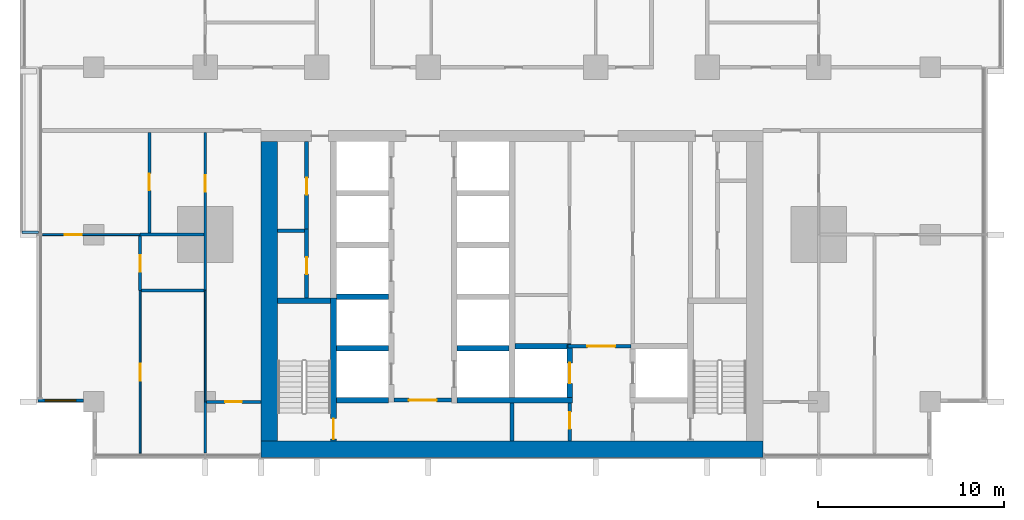
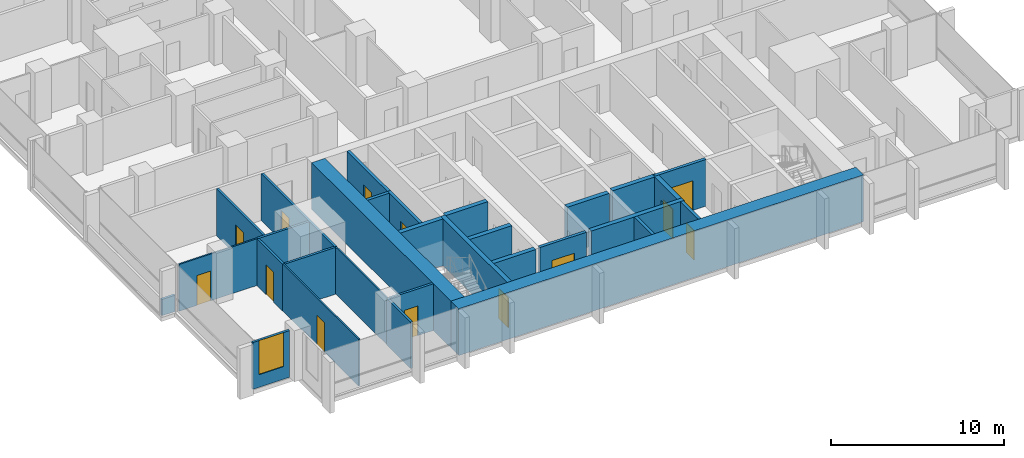
# One storey, part 7 of 18: 30 walls, 13 doors, 1 window, 14 openings.
"""IFC4 building model written with IfcOpenShell, lengths in metres."""

from ifc_helpers import new_model, si_unit, direction, frame, frame_2d, origin, place, context, subcontext, project, spatial, rectangle, extrude, material, layer, layer_set, type_object, element, fill, save


model = new_model("IFC4")

# Units and contexts
model_context = context("Model", 3, precision=1e-05, world=origin(), true_north=direction((0.0, 1.0)))
body_context = subcontext(model_context, "Body", "Model", "MODEL_VIEW")
ifc_project = project(units=[si_unit("LENGTHUNIT", "METRE"), si_unit("AREAUNIT", "SQUARE_METRE"), si_unit("VOLUMEUNIT", "CUBIC_METRE"), si_unit("PLANEANGLEUNIT", "RADIAN"), si_unit("MASSUNIT", "GRAM", prefix="KILO")], contexts=[model_context])

# Site, building, storey
site_placement = place(None, origin())
site = spatial("IfcSite", under=ifc_project, at=site_placement, CompositionType="ELEMENT")
building_placement = place(site_placement, origin())
building = spatial("IfcBuilding", under=site, at=building_placement, Name="Finial Court Residences", CompositionType="ELEMENT")
storey_placement = place(building_placement, frame((0.0, 0.0, 43.300048828125)))
storey = spatial("IfcBuildingStorey", under=building, at=storey_placement, Name="L09", CompositionType="ELEMENT", Elevation=43.300048828125)

# Walls
ifc_material_1 = material(Name="Concrete C80/95", Category="concrete")
ifc_layer_1 = layer(ifc_material_1, 0.89990234375)
ifc_layer_set_1 = layer_set([ifc_layer_1], Name="Core outer wall 900 Concrete C80/95")
wall_type_1 = type_object("IfcWallType", Name="Core outer wall 900 Concrete C80/95", PredefinedType="SHEAR", material=ifc_layer_set_1)
wall_1_placement = place(storey_placement, frame((-13.050048828125, -24.60009765625, 0.0), z_axis=(0.0, 0.0, 1.0), x_axis=(0.0, 1.0, 0.0)))
element("IfcWall", 1, at=wall_1_placement, inside=storey, type_object=wall_type_1, Name="Core outer wall L09-03", PredefinedType="SHEAR", context=body_context, shape_type="SweptSolid", body=[
    extrude(rectangle(XDim=16.10009765625, YDim=0.89990234375, at=frame_2d((8.050048828125, 0.0))), origin(), (0.0, 0.0, 1.0), 3.300048828125),
])
ifc_layer_2 = layer(ifc_material_1, 0.89990234375)
ifc_layer_set_2 = layer_set([ifc_layer_2], Name="Core south facade wall 900 Concrete C80/95")
wall_type_2 = type_object("IfcWallType", Name="Core south facade wall 900 Concrete C80/95", PredefinedType="SHEAR", material=ifc_layer_set_2)
wall_2_placement = place(storey_placement, frame((-13.5, -25.050048828125, 0.0), z_axis=(0.0, 0.0, 1.0), x_axis=(1.0, 0.0, 0.0)))
element("IfcWall", 2, at=wall_2_placement, inside=storey, type_object=wall_type_2, Name="Core outer wall L09-01", PredefinedType="SHEAR", context=body_context, shape_type="SweptSolid", body=[
    extrude(rectangle(XDim=27.0, YDim=0.89990234375, at=frame_2d((13.5, 0.0))), origin(), (0.0, 0.0, 1.0), 3.300048828125),
])

# Wall, opening, door
ifc_material_2 = material(Name="Fire-rated gypsum board partition")
ifc_layer_3 = layer(ifc_material_2, 0.199951171875)
ifc_layer_set_3 = layer_set([ifc_layer_3], Name="Firefighting lobby wall 200 EI 120")
wall_type_3 = type_object("IfcWallType", Name="Firefighting lobby wall 200 EI 120", PredefinedType="PARTITIONING", material=ifc_layer_set_3)
wall_3_placement = place(storey_placement, frame((6.39990234375, -19.5, 0.0), z_axis=(0.0, 0.0, 1.0), x_axis=(-1.0, 0.0, 0.0)))
wall_3 = element("IfcWall", 3, at=wall_3_placement, inside=storey, type_object=wall_type_3, Name="Core partition L09-08", PredefinedType="PARTITIONING", context=body_context, shape_type="SweptSolid", body=[
    extrude(rectangle(XDim=3.375, YDim=0.199951171875, at=frame_2d((1.6875, 0.0))), origin(), (0.0, 0.0, 1.0), 3.300048828125),
])
opening_1_placement = place(wall_3_placement, frame((0.85009765625, 0.0, 0.0)))
opening_1 = element("IfcOpeningElement", 4, at=opening_1_placement, cuts=wall_3, Name="Opening L09-C02", PredefinedType="OPENING", context=body_context, shape_type="SweptSolid", body=[
    extrude(rectangle(XDim=1.5, YDim=2.10009765625, at=frame_2d((0.75, 1.050048828125))), frame((0.0, 0.10986328125, 0.0), z_axis=(0.0, -1.0, 0.0), x_axis=(1.0, 0.0, 0.0)), (0.0, 0.0, 1.0), 0.219970703125),
])
ifc_material_3 = material(Name="Steel fire door", Category="steel")
door_type_1 = type_object("IfcDoorType", Name="Firefighting lobby door 1500 x 2100 EI 90", OperationType="DOUBLE_DOOR_SINGLE_SWING", PredefinedType="DOOR", material=ifc_material_3)
door_1_placement = place(opening_1_placement, origin())
door_1 = element("IfcDoor", 5, at=door_1_placement, inside=storey, type_object=door_type_1, Name="Firefighting lobby door L09-C02", OperationType="DOUBLE_DOOR_SINGLE_SWING", OverallHeight=2.10009765625, OverallWidth=1.5, PredefinedType="DOOR", context=body_context, shape_type="SweptSolid", body=[
    extrude(rectangle(XDim=1.5, YDim=2.10009765625, at=frame_2d((0.75, 1.050048828125))), frame((0.0, 0.02490234375, 0.0), z_axis=(0.0, -1.0, 0.0), x_axis=(1.0, 0.0, 0.0)), (0.0, 0.0, 1.0), 0.050048828125),
])
fill(opening_1, door_1)

wall_4_placement = place(storey_placement, frame((3.10009765625, -24.60009765625, 0.0), z_axis=(0.0, 0.0, 1.0), x_axis=(0.0, 1.0, 0.0)))
wall_4 = element("IfcWall", 6, at=wall_4_placement, inside=storey, type_object=wall_type_3, Name="Core partition L09-29", PredefinedType="PARTITIONING", context=body_context, shape_type="SweptSolid", body=[
    extrude(rectangle(XDim=2.050048828125, YDim=0.199951171875, at=frame_2d((1.02490234375, 0.0))), origin(), (0.0, 0.0, 1.0), 3.300048828125),
])
opening_2_placement = place(wall_4_placement, frame((0.64990234375, 0.0, 0.0)))
opening_2 = element("IfcOpeningElement", 7, at=opening_2_placement, cuts=wall_4, Name="Opening L09-C06", PredefinedType="OPENING", context=body_context, shape_type="SweptSolid", body=[
    extrude(rectangle(XDim=0.89990234375, YDim=2.10009765625, at=frame_2d((0.449951171875, 1.050048828125))), frame((0.0, 0.10986328125, 0.0), z_axis=(0.0, -1.0, 0.0), x_axis=(1.0, 0.0, 0.0)), (0.0, 0.0, 1.0), 0.219970703125),
])
door_type_2 = type_object("IfcDoorType", Name="Riser room door 900 x 2100 EI 90", OperationType="NOTDEFINED", PredefinedType="DOOR", material=ifc_material_3)
door_2_placement = place(opening_2_placement, origin())
door_2 = element("IfcDoor", 8, at=door_2_placement, inside=storey, type_object=door_type_2, Name="Riser room door L09-C06", OperationType="SINGLE_SWING_LEFT", OverallHeight=2.10009765625, OverallWidth=0.89990234375, PredefinedType="DOOR", context=body_context, shape_type="SweptSolid", body=[
    extrude(rectangle(XDim=0.89990234375, YDim=2.10009765625, at=frame_2d((0.449951171875, 1.050048828125))), frame((0.0, 0.02490234375, 0.0), z_axis=(0.0, -1.0, 0.0), x_axis=(1.0, 0.0, 0.0)), (0.0, 0.0, 1.0), 0.050048828125),
])
fill(opening_2, door_2)

ifc_material_4 = material(Name="Gypsum board")
ifc_layer_4 = layer(ifc_material_4, 0.012451171875)
ifc_material_5 = material(Name="Mineral wool in light-gauge frame")
ifc_layer_5 = layer(ifc_material_5, 0.074951171875)
ifc_layer_6 = layer(ifc_material_4, 0.012451171875)
ifc_layer_set_4 = layer_set([ifc_layer_4, ifc_layer_5, ifc_layer_6], Name="Gypsum board partition 100")
wall_type_4 = type_object("IfcWallType", Name="Gypsum board partition 100", PredefinedType="PARTITIONING", material=ifc_layer_set_4)
wall_5_placement = place(storey_placement, frame((-25.25, -13.5, 0.0), z_axis=(0.0, 0.0, 1.0), x_axis=(1.0, 0.0, 0.0)))
wall_5 = element("IfcWall", 9, at=wall_5_placement, inside=storey, type_object=wall_type_4, Name="Partition L09-003", PredefinedType="PARTITIONING", context=body_context, shape_type="SweptSolid", body=[
    extrude(rectangle(XDim=5.25, YDim=0.10009765625, at=frame_2d((2.625, 0.0))), origin(), (0.0, 0.0, 1.0), 3.300048828125),
])
opening_3_placement = place(wall_5_placement, frame((1.199951171875, 0.0, 0.0)))
opening_3 = element("IfcOpeningElement", 10, at=opening_3_placement, cuts=wall_5, Name="Opening L09-D003", PredefinedType="OPENING", context=body_context, shape_type="SweptSolid", body=[
    extrude(rectangle(XDim=0.89990234375, YDim=2.10009765625, at=frame_2d((0.449951171875, 1.050048828125))), frame((0.0, 0.06005859375, 0.0), z_axis=(0.0, -1.0, 0.0), x_axis=(1.0, 0.0, 0.0)), (0.0, 0.0, 1.0), 0.1201171875),
])
ifc_material_6 = material(Name="Timber door leaf in timber frame", Category="wood")
door_type_3 = type_object("IfcDoorType", Name="Door set 900 x 2100", OperationType="SINGLE_SWING_LEFT", PredefinedType="DOOR", material=ifc_material_6)
door_3_placement = place(opening_3_placement, origin())
door_3 = element("IfcDoor", 11, at=door_3_placement, inside=storey, type_object=door_type_3, Name="Door L09-D003", OperationType="SINGLE_SWING_LEFT", OverallHeight=2.10009765625, OverallWidth=0.89990234375, PredefinedType="DOOR", context=body_context, shape_type="SweptSolid", body=[
    extrude(rectangle(XDim=0.89990234375, YDim=2.10009765625, at=frame_2d((0.449951171875, 1.050048828125))), frame((0.0, 0.02490234375, 0.0), z_axis=(0.0, -1.0, 0.0), x_axis=(1.0, 0.0, 0.0)), (0.0, 0.0, 1.0), 0.050048828125),
])
fill(opening_3, door_3)

wall_6_placement = place(storey_placement, frame((-20.0, -25.25, 0.0), z_axis=(0.0, 0.0, 1.0), x_axis=(0.0, 1.0, 0.0)))
wall_6 = element("IfcWall", 12, at=wall_6_placement, inside=storey, type_object=wall_type_4, Name="Partition L09-056", PredefinedType="PARTITIONING", context=body_context, shape_type="SweptSolid", body=[
    extrude(rectangle(XDim=8.75, YDim=0.10009765625, at=frame_2d((4.375, 0.0))), origin(), (0.0, 0.0, 1.0), 3.300048828125),
])
opening_4_placement = place(wall_6_placement, frame((3.89990234375, 0.0, 0.0)))
opening_4 = element("IfcOpeningElement", 13, at=opening_4_placement, cuts=wall_6, Name="Opening L09-D035", PredefinedType="OPENING", context=body_context, shape_type="SweptSolid", body=[
    extrude(rectangle(XDim=0.89990234375, YDim=2.10009765625, at=frame_2d((0.449951171875, 1.050048828125))), frame((0.0, 0.06005859375, 0.0), z_axis=(0.0, -1.0, 0.0), x_axis=(1.0, 0.0, 0.0)), (0.0, 0.0, 1.0), 0.1201171875),
])
door_4_placement = place(opening_4_placement, origin())
door_4 = element("IfcDoor", 14, at=door_4_placement, inside=storey, type_object=door_type_3, Name="Door L09-D035", OperationType="SINGLE_SWING_LEFT", OverallHeight=2.10009765625, OverallWidth=0.89990234375, PredefinedType="DOOR", context=body_context, shape_type="SweptSolid", body=[
    extrude(rectangle(XDim=0.89990234375, YDim=2.10009765625, at=frame_2d((0.449951171875, 1.050048828125))), frame((0.0, 0.02490234375, 0.0), z_axis=(0.0, -1.0, 0.0), x_axis=(1.0, 0.0, 0.0)), (0.0, 0.0, 1.0), 0.050048828125),
])
fill(opening_4, door_4)

# Wall
wall_7_placement = place(storey_placement, frame((-16.5, -22.5, 0.0), z_axis=(0.0, 0.0, 1.0), x_axis=(0.0, 1.0, 0.0)))
element("IfcWall", 15, at=wall_7_placement, inside=storey, type_object=wall_type_4, Name="Partition L09-063", PredefinedType="PARTITIONING", context=body_context, shape_type="SweptSolid", body=[
    extrude(rectangle(XDim=6.0, YDim=0.10009765625, at=frame_2d((3.0, 0.0))), origin(), (0.0, 0.0, 1.0), 3.300048828125),
])

# Wall, opening, door
ifc_material_7 = material(Name="Moisture-resistant gypsum board")
ifc_layer_7 = layer(ifc_material_7, 0.012451171875)
ifc_layer_8 = layer(ifc_material_5, 0.125)
ifc_layer_9 = layer(ifc_material_7, 0.012451171875)
ifc_layer_set_5 = layer_set([ifc_layer_7, ifc_layer_8, ifc_layer_9], Name="Gypsum board wet-area partition 150")
wall_type_5 = type_object("IfcWallType", Name="Gypsum board wet-area partition 150", PredefinedType="PARTITIONING", material=ifc_layer_set_5)
wall_8_placement = place(storey_placement, frame((-16.425048828125, -22.5, 0.0), z_axis=(0.0, 0.0, 1.0), x_axis=(1.0, 0.0, 0.0)))
wall_8 = element("IfcWall", 16, at=wall_8_placement, inside=storey, type_object=wall_type_5, Name="Partition L09-000", PredefinedType="PARTITIONING", context=body_context, shape_type="SweptSolid", body=[
    extrude(rectangle(XDim=2.925048828125, YDim=0.14990234375, at=frame_2d((1.46240234375, 0.0))), origin(), (0.0, 0.0, 1.0), 3.300048828125),
])
opening_5_placement = place(wall_8_placement, frame((1.0, 0.0, 0.0)))
opening_5 = element("IfcOpeningElement", 17, at=opening_5_placement, cuts=wall_8, Name="Opening L09-D001", PredefinedType="OPENING", context=body_context, shape_type="SweptSolid", body=[
    extrude(rectangle(XDim=0.89990234375, YDim=2.10009765625, at=frame_2d((0.449951171875, 1.050048828125))), frame((0.0, 0.0849609375, 0.0), z_axis=(0.0, -1.0, 0.0), x_axis=(1.0, 0.0, 0.0)), (0.0, 0.0, 1.0), 0.169921875),
])
door_5_placement = place(opening_5_placement, origin())
door_5 = element("IfcDoor", 18, at=door_5_placement, inside=storey, type_object=door_type_3, Name="Door L09-D001", OperationType="SINGLE_SWING_RIGHT", OverallHeight=2.10009765625, OverallWidth=0.89990234375, PredefinedType="DOOR", context=body_context, shape_type="SweptSolid", body=[
    extrude(rectangle(XDim=0.89990234375, YDim=2.10009765625, at=frame_2d((0.449951171875, 1.050048828125))), frame((0.0, 0.02490234375, 0.0), z_axis=(0.0, -1.0, 0.0), x_axis=(1.0, 0.0, 0.0)), (0.0, 0.0, 1.0), 0.050048828125),
])
fill(opening_5, door_5)

# Walls
wall_9_placement = place(storey_placement, frame((-19.925048828125, -16.5, 0.0), z_axis=(0.0, 0.0, 1.0), x_axis=(1.0, 0.0, 0.0)))
element("IfcWall", 19, at=wall_9_placement, inside=storey, type_object=wall_type_5, Name="Partition L09-002", PredefinedType="PARTITIONING", context=body_context, shape_type="SweptSolid", body=[
    extrude(rectangle(XDim=3.35009765625, YDim=0.14990234375, at=frame_2d((1.675048828125, 0.0))), origin(), (0.0, 0.0, 1.0), 3.300048828125),
])
wall_10_placement = place(storey_placement, frame((-20.0, -13.5, 0.0), z_axis=(0.0, 0.0, 1.0), x_axis=(1.0, 0.0, 0.0)))
element("IfcWall", 20, at=wall_10_placement, inside=storey, type_object=wall_type_5, Name="Partition L09-005", PredefinedType="PARTITIONING", context=body_context, shape_type="SweptSolid", body=[
    extrude(rectangle(XDim=3.425048828125, YDim=0.14990234375, at=frame_2d((1.71240234375, 0.0))), origin(), (0.0, 0.0, 1.0), 3.300048828125),
])

# Wall, opening, door
wall_11_placement = place(storey_placement, frame((-20.0, -16.5, 0.0), z_axis=(0.0, 0.0, 1.0), x_axis=(0.0, 1.0, 0.0)))
wall_11 = element("IfcWall", 21, at=wall_11_placement, inside=storey, type_object=wall_type_5, Name="Partition L09-057", PredefinedType="PARTITIONING", context=body_context, shape_type="SweptSolid", body=[
    extrude(rectangle(XDim=2.925048828125, YDim=0.14990234375, at=frame_2d((1.46240234375, 0.0))), origin(), (0.0, 0.0, 1.0), 3.300048828125),
])
opening_6_placement = place(wall_11_placement, frame((1.0, 0.0, 0.0)))
opening_6 = element("IfcOpeningElement", 22, at=opening_6_placement, cuts=wall_11, Name="Opening L09-D036", PredefinedType="OPENING", context=body_context, shape_type="SweptSolid", body=[
    extrude(rectangle(XDim=0.89990234375, YDim=2.10009765625, at=frame_2d((0.449951171875, 1.050048828125))), frame((0.0, 0.0849609375, 0.0), z_axis=(0.0, -1.0, 0.0), x_axis=(1.0, 0.0, 0.0)), (0.0, 0.0, 1.0), 0.169921875),
])
door_6_placement = place(opening_6_placement, origin())
door_6 = element("IfcDoor", 23, at=door_6_placement, inside=storey, type_object=door_type_3, Name="Door L09-D036", OperationType="SINGLE_SWING_LEFT", OverallHeight=2.10009765625, OverallWidth=0.89990234375, PredefinedType="DOOR", context=body_context, shape_type="SweptSolid", body=[
    extrude(rectangle(XDim=0.89990234375, YDim=2.10009765625, at=frame_2d((0.449951171875, 1.050048828125))), frame((0.0, 0.02490234375, 0.0), z_axis=(0.0, -1.0, 0.0), x_axis=(1.0, 0.0, 0.0)), (0.0, 0.0, 1.0), 0.050048828125),
])
fill(opening_6, door_6)

wall_12_placement = place(storey_placement, frame((-19.5, -13.425048828125, 0.0), z_axis=(0.0, 0.0, 1.0), x_axis=(0.0, 1.0, 0.0)))
wall_12 = element("IfcWall", 24, at=wall_12_placement, inside=storey, type_object=wall_type_5, Name="Partition L09-060", PredefinedType="PARTITIONING", context=body_context, shape_type="SweptSolid", body=[
    extrude(rectangle(XDim=5.425048828125, YDim=0.14990234375, at=frame_2d((2.71240234375, 0.0))), origin(), (0.0, 0.0, 1.0), 3.300048828125),
])
opening_7_placement = place(wall_12_placement, frame((2.300048828125, 0.0, 0.0)))
opening_7 = element("IfcOpeningElement", 25, at=opening_7_placement, cuts=wall_12, Name="Opening L09-D039", PredefinedType="OPENING", context=body_context, shape_type="SweptSolid", body=[
    extrude(rectangle(XDim=0.89990234375, YDim=2.10009765625, at=frame_2d((0.449951171875, 1.050048828125))), frame((0.0, 0.0849609375, 0.0), z_axis=(0.0, -1.0, 0.0), x_axis=(1.0, 0.0, 0.0)), (0.0, 0.0, 1.0), 0.169921875),
])
door_7_placement = place(opening_7_placement, origin())
door_7 = element("IfcDoor", 26, at=door_7_placement, inside=storey, type_object=door_type_3, Name="Door L09-D039", OperationType="SINGLE_SWING_RIGHT", OverallHeight=2.10009765625, OverallWidth=0.89990234375, PredefinedType="DOOR", context=body_context, shape_type="SweptSolid", body=[
    extrude(rectangle(XDim=0.89990234375, YDim=2.10009765625, at=frame_2d((0.449951171875, 1.050048828125))), frame((0.0, 0.02490234375, 0.0), z_axis=(0.0, -1.0, 0.0), x_axis=(1.0, 0.0, 0.0)), (0.0, 0.0, 1.0), 0.050048828125),
])
fill(opening_7, door_7)

# Wall
wall_13_placement = place(storey_placement, frame((-16.5, -25.25, 0.0), z_axis=(0.0, 0.0, 1.0), x_axis=(0.0, 1.0, 0.0)))
element("IfcWall", 27, at=wall_13_placement, inside=storey, type_object=wall_type_5, Name="Partition L09-067", PredefinedType="PARTITIONING", context=body_context, shape_type="SweptSolid", body=[
    extrude(rectangle(XDim=2.75, YDim=0.14990234375, at=frame_2d((1.375, 0.0))), origin(), (0.0, 0.0, 1.0), 3.300048828125),
])

# Wall, opening, door
wall_14_placement = place(storey_placement, frame((-16.5, -16.5, 0.0), z_axis=(0.0, 0.0, 1.0), x_axis=(0.0, 1.0, 0.0)))
wall_14 = element("IfcWall", 28, at=wall_14_placement, inside=storey, type_object=wall_type_5, Name="Partition L09-068", PredefinedType="PARTITIONING", context=body_context, shape_type="SweptSolid", body=[
    extrude(rectangle(XDim=8.5, YDim=0.14990234375, at=frame_2d((4.25, 0.0))), origin(), (0.0, 0.0, 1.0), 3.300048828125),
])
opening_8_placement = place(wall_14_placement, frame((5.300048828125, 0.0, 0.0)))
opening_8 = element("IfcOpeningElement", 29, at=opening_8_placement, cuts=wall_14, Name="Opening L09-D044", PredefinedType="OPENING", context=body_context, shape_type="SweptSolid", body=[
    extrude(rectangle(XDim=0.89990234375, YDim=2.10009765625, at=frame_2d((0.449951171875, 1.050048828125))), frame((0.0, 0.0849609375, 0.0), z_axis=(0.0, -1.0, 0.0), x_axis=(1.0, 0.0, 0.0)), (0.0, 0.0, 1.0), 0.169921875),
])
door_8_placement = place(opening_8_placement, origin())
door_8 = element("IfcDoor", 30, at=door_8_placement, inside=storey, type_object=door_type_3, Name="Door L09-D044", OperationType="SINGLE_SWING_LEFT", OverallHeight=2.10009765625, OverallWidth=0.89990234375, PredefinedType="DOOR", context=body_context, shape_type="SweptSolid", body=[
    extrude(rectangle(XDim=0.89990234375, YDim=2.10009765625, at=frame_2d((0.449951171875, 1.050048828125))), frame((0.0, 0.02490234375, 0.0), z_axis=(0.0, -1.0, 0.0), x_axis=(1.0, 0.0, 0.0)), (0.0, 0.0, 1.0), 0.050048828125),
])
fill(opening_8, door_8)

# Walls
ifc_material_8 = material(Name="Concrete C35/45", Category="concrete")
ifc_layer_10 = layer(ifc_material_8, 0.14990234375)
ifc_layer_set_6 = layer_set([ifc_layer_10], Name="Ledge parapet, Concrete C35/45 150")
wall_type_6 = type_object("IfcWallType", Name="Ledge parapet, Concrete C35/45 150", PredefinedType="PARAPET", material=ifc_layer_set_6)
wall_15_placement = place(storey_placement, frame((-25.4599609375, -13.375, 0.0), z_axis=(0.0, 0.0, 1.0), x_axis=(-1.0, 0.0, 0.0)))
element("IfcWall", 31, at=wall_15_placement, inside=storey, type_object=wall_type_6, Name="E-L09-LED2-P1", PredefinedType="PARAPET", context=body_context, shape_type="SweptSolid", body=[
    extrude(rectangle(XDim=0.89013671875, YDim=0.14990234375, at=frame_2d((0.445068359375, 0.0))), origin(), (0.0, 0.0, 1.0), 1.14990234375),
])
ifc_layer_11 = layer(ifc_material_1, 0.300048828125)
ifc_layer_set_7 = layer_set([ifc_layer_11], Name="Lift shaft and stair wall 300 Concrete C80/95")
wall_type_7 = type_object("IfcWallType", Name="Lift shaft and stair wall 300 Concrete C80/95", PredefinedType="SHEAR", material=ifc_layer_set_7)
wall_16_placement = place(storey_placement, frame((-9.449951171875, -22.39990234375, 0.0), z_axis=(0.0, 0.0, 1.0), x_axis=(1.0, 0.0, 0.0)))
element("IfcWall", 32, at=wall_16_placement, inside=storey, type_object=wall_type_7, Name="Core wall L09-01", PredefinedType="SHEAR", context=body_context, shape_type="SweptSolid", body=[
    extrude(rectangle(XDim=2.800048828125, YDim=0.300048828125, at=frame_2d((1.39990234375, 0.0))), origin(), (0.0, 0.0, 1.0), 3.300048828125),
])
wall_17_placement = place(storey_placement, frame((-2.949951171875, -22.39990234375, 0.0), z_axis=(0.0, 0.0, 1.0), x_axis=(1.0, 0.0, 0.0)))
element("IfcWall", 33, at=wall_17_placement, inside=storey, type_object=wall_type_7, Name="Core wall L09-03", PredefinedType="SHEAR", context=body_context, shape_type="SweptSolid", body=[
    extrude(rectangle(XDim=6.199951171875, YDim=0.300048828125, at=frame_2d((3.10009765625, 0.0))), origin(), (0.0, 0.0, 1.0), 3.300048828125),
])
for number, where, z_axis, x_axis, name in (
    (34, (-9.449951171875, -19.6201171875, 0.0), (0.0, 0.0, 1.0), (1.0, 0.0, 0.0), "Core wall L09-05"),
    (35, (-2.949951171875, -19.6201171875, 0.0), (0.0, 0.0, 1.0), (1.0, 0.0, 0.0), "Core wall L09-06"),
):
    element("IfcWall", number, at=place(storey_placement, frame(where, z_axis=z_axis, x_axis=x_axis)), inside=storey, type_object=wall_type_7, Name=name, PredefinedType="SHEAR", context=body_context, shape_type="SweptSolid", body=[
        extrude(rectangle(XDim=2.800048828125, YDim=0.300048828125, at=frame_2d((1.39990234375, 0.0))), origin(), (0.0, 0.0, 1.0), 3.300048828125),
    ])
wall_18_placement = place(storey_placement, frame((0.14990234375, -19.5, 0.0), z_axis=(0.0, 0.0, 1.0), x_axis=(1.0, 0.0, 0.0)))
element("IfcWall", 36, at=wall_18_placement, inside=storey, type_object=wall_type_7, Name="Core wall L09-07", PredefinedType="SHEAR", context=body_context, shape_type="SweptSolid", body=[
    extrude(rectangle(XDim=3.025146484375, YDim=0.300048828125, at=frame_2d((1.5126953125, 0.0))), origin(), (0.0, 0.0, 1.0), 3.300048828125),
])
wall_19_placement = place(storey_placement, frame((-12.60009765625, -17.050048828125, 0.0), z_axis=(0.0, 0.0, 1.0), x_axis=(1.0, 0.0, 0.0)))
element("IfcWall", 37, at=wall_19_placement, inside=storey, type_object=wall_type_7, Name="Core wall L09-10", PredefinedType="SHEAR", context=body_context, shape_type="SweptSolid", body=[
    extrude(rectangle(XDim=2.85009765625, YDim=0.300048828125, at=frame_2d((1.425048828125, 0.0))), origin(), (0.0, 0.0, 1.0), 3.300048828125),
])
wall_20_placement = place(storey_placement, frame((-9.449951171875, -16.840087890625, 0.0), z_axis=(0.0, 0.0, 1.0), x_axis=(1.0, 0.0, 0.0)))
element("IfcWall", 38, at=wall_20_placement, inside=storey, type_object=wall_type_7, Name="Core wall L09-12", PredefinedType="SHEAR", context=body_context, shape_type="SweptSolid", body=[
    extrude(rectangle(XDim=2.800048828125, YDim=0.300048828125, at=frame_2d((1.39990234375, 0.0))), origin(), (0.0, 0.0, 1.0), 3.300048828125),
])

# Wall, opening, door
wall_21_placement = place(storey_placement, frame((-9.60009765625, -24.60009765625, 0.0), z_axis=(0.0, 0.0, 1.0), x_axis=(0.0, 1.0, 0.0)))
wall_21 = element("IfcWall", 39, at=wall_21_placement, inside=storey, type_object=wall_type_7, Name="Core wall L09-23", PredefinedType="SHEAR", context=body_context, shape_type="SweptSolid", body=[
    extrude(rectangle(XDim=7.7001953125, YDim=0.300048828125, at=frame_2d((3.85009765625, 0.0))), origin(), (0.0, 0.0, 1.0), 3.300048828125),
])
opening_9_placement = place(wall_21_placement, frame((0.10009765625, 0.0, 0.0)))
opening_9 = element("IfcOpeningElement", 40, at=opening_9_placement, cuts=wall_21, Name="Opening L09-C16", PredefinedType="OPENING", context=body_context, shape_type="SweptSolid", body=[
    extrude(rectangle(XDim=1.10009765625, YDim=2.10009765625, at=frame_2d((0.550048828125, 1.050048828125))), frame((0.0, 0.159912109375, 0.0), z_axis=(0.0, -1.0, 0.0), x_axis=(1.0, 0.0, 0.0)), (0.0, 0.0, 1.0), 0.320068359375),
])
door_type_4 = type_object("IfcDoorType", Name="Stair door 1100 x 2100 EI 90", OperationType="NOTDEFINED", PredefinedType="DOOR", material=ifc_material_3)
door_9_placement = place(opening_9_placement, origin())
door_9 = element("IfcDoor", 41, at=door_9_placement, inside=storey, type_object=door_type_4, Name="Stair door L09-C16", OperationType="SINGLE_SWING_LEFT", OverallHeight=2.10009765625, OverallWidth=1.10009765625, PredefinedType="DOOR", context=body_context, shape_type="SweptSolid", body=[
    extrude(rectangle(XDim=1.10009765625, YDim=2.10009765625, at=frame_2d((0.550048828125, 1.050048828125))), frame((0.0, 0.02490234375, 0.0), z_axis=(0.0, -1.0, 0.0), x_axis=(1.0, 0.0, 0.0)), (0.0, 0.0, 1.0), 0.050048828125),
])
fill(opening_9, door_9)

wall_22_placement = place(storey_placement, frame((3.10009765625, -22.25, 0.0), z_axis=(0.0, 0.0, 1.0), x_axis=(0.0, 1.0, 0.0)))
wall_22 = element("IfcWall", 42, at=wall_22_placement, inside=storey, type_object=wall_type_7, Name="Core wall L09-30", PredefinedType="SHEAR", context=body_context, shape_type="SweptSolid", body=[
    extrude(rectangle(XDim=2.85009765625, YDim=0.300048828125, at=frame_2d((1.425048828125, 0.0))), origin(), (0.0, 0.0, 1.0), 3.300048828125),
])
opening_10_placement = place(wall_22_placement, frame((0.75, 0.0, 0.0)))
opening_10 = element("IfcOpeningElement", 43, at=opening_10_placement, cuts=wall_22, Name="Opening L09-LD01", PredefinedType="OPENING", context=body_context, shape_type="SweptSolid", body=[
    extrude(rectangle(XDim=1.10009765625, YDim=2.10009765625, at=frame_2d((0.550048828125, 1.050048828125))), frame((0.0, 0.159912109375, 0.0), z_axis=(0.0, -1.0, 0.0), x_axis=(1.0, 0.0, 0.0)), (0.0, 0.0, 1.0), 0.320068359375),
])
ifc_material_9 = material(Name="Stainless steel lift door", Category="steel")
door_type_5 = type_object("IfcDoorType", Name="Lift landing door 1100 x 2100 EI 90", OperationType="DOUBLE_DOOR_SLIDING", PredefinedType="DOOR", material=ifc_material_9)
door_10_placement = place(opening_10_placement, origin())
door_10 = element("IfcDoor", 44, at=door_10_placement, inside=storey, type_object=door_type_5, Name="Lift landing door FF1 L09", OperationType="DOUBLE_DOOR_SLIDING", OverallHeight=2.10009765625, OverallWidth=1.10009765625, PredefinedType="DOOR", context=body_context, shape_type="SweptSolid", body=[
    extrude(rectangle(XDim=1.10009765625, YDim=2.10009765625, at=frame_2d((0.550048828125, 1.050048828125))), frame((0.0, 0.02490234375, 0.0), z_axis=(0.0, -1.0, 0.0), x_axis=(1.0, 0.0, 0.0)), (0.0, 0.0, 1.0), 0.050048828125),
])
fill(opening_10, door_10)

# Wall, opening, window
ifc_material_10 = material(Name="Natural limestone", Category="masonry")
ifc_layer_12 = layer(ifc_material_10, 0.14990234375)
ifc_layer_set_8 = layer_set([ifc_layer_12], Name="Limestone clad wall 150")
wall_type_8 = type_object("IfcWallType", Name="Limestone clad wall 150", PredefinedType="SOLIDWALL", material=ifc_layer_set_8)
wall_23_placement = place(storey_placement, frame((-23.050048828125, -22.425048828125, 0.0), z_axis=(0.0, 0.0, 1.0), x_axis=(-1.0, 0.0, 0.0)))
wall_23 = element("IfcWall", 45, at=wall_23_placement, inside=storey, type_object=wall_type_8, Name="E-L09-NWS13", PredefinedType="SOLIDWALL", context=body_context, shape_type="SweptSolid", body=[
    extrude(rectangle(XDim=2.449951171875, YDim=0.14990234375, at=frame_2d((1.22509765625, 0.0))), origin(), (0.0, 0.0, 1.0), 3.300048828125),
])
opening_11_placement = place(wall_23_placement, frame((0.39990234375, 0.0, 0.89990234375)))
opening_11 = element("IfcOpeningElement", 46, at=opening_11_placement, cuts=wall_23, Name="Opening WE09-02", PredefinedType="OPENING", context=body_context, shape_type="SweptSolid", body=[
    extrude(rectangle(XDim=1.64990234375, YDim=2.39990234375, at=frame_2d((0.824951171875, 1.199951171875))), frame((0.0, 0.0849609375, 0.0), z_axis=(0.0, -1.0, 0.0), x_axis=(1.0, 0.0, 0.0)), (0.0, 0.0, 1.0), 0.169921875),
])
ifc_material_11 = material(Name="Clear low-e glass", Category="glass")
window_type = type_object("IfcWindowType", Name="Corner window 1650 x 2400", PartitioningType="SINGLE_PANEL", PredefinedType="WINDOW", material=ifc_material_11)
window_placement = place(opening_11_placement, origin())
window = element("IfcWindow", 47, at=window_placement, inside=storey, type_object=window_type, Name="E-L09-NWS13-W1", OverallHeight=2.39990234375, OverallWidth=1.64990234375, PartitioningType="SINGLE_PANEL", PredefinedType="WINDOW", context=body_context, shape_type="SweptSolid", body=[
    extrude(rectangle(XDim=1.64990234375, YDim=2.39990234375, at=frame_2d((0.824951171875, 1.199951171875))), frame((0.0, 0.030029296875, 0.0), z_axis=(0.0, -1.0, 0.0), x_axis=(1.0, 0.0, 0.0)), (0.0, 0.0, 1.0), 0.06005859375),
])
fill(opening_11, window)

# Wall
ifc_layer_13 = layer(ifc_material_2, 0.199951171875)
ifc_layer_set_9 = layer_set([ifc_layer_13], Name="Riser room wall 200 EI 120")
wall_type_9 = type_object("IfcWallType", Name="Riser room wall 200 EI 120", PredefinedType="PARTITIONING", material=ifc_layer_set_9)
wall_24_placement = place(storey_placement, frame((-12.60009765625, -13.300048828125, 0.0), z_axis=(0.0, 0.0, 1.0), x_axis=(1.0, 0.0, 0.0)))
element("IfcWall", 48, at=wall_24_placement, inside=storey, type_object=wall_type_9, Name="Core partition L09-17", PredefinedType="PARTITIONING", context=body_context, shape_type="SweptSolid", body=[
    extrude(rectangle(XDim=1.4501953125, YDim=0.199951171875, at=frame_2d((0.72509765625, 0.0))), origin(), (0.0, 0.0, 1.0), 3.300048828125),
])

# Wall, opening, door
wall_25_placement = place(storey_placement, frame((-11.050048828125, -13.39990234375, 0.0), z_axis=(0.0, 0.0, 1.0), x_axis=(0.0, 1.0, 0.0)))
wall_25 = element("IfcWall", 49, at=wall_25_placement, inside=storey, type_object=wall_type_9, Name="Core partition L09-22", PredefinedType="PARTITIONING", context=body_context, shape_type="SweptSolid", body=[
    extrude(rectangle(XDim=4.89990234375, YDim=0.199951171875, at=frame_2d((2.449951171875, 0.0))), origin(), (0.0, 0.0, 1.0), 3.300048828125),
])
opening_12_placement = place(wall_25_placement, frame((2.050048828125, 0.0, 0.0)))
opening_12 = element("IfcOpeningElement", 50, at=opening_12_placement, cuts=wall_25, Name="Opening L09-C07", PredefinedType="OPENING", context=body_context, shape_type="SweptSolid", body=[
    extrude(rectangle(XDim=0.89990234375, YDim=2.10009765625, at=frame_2d((0.449951171875, 1.050048828125))), frame((0.0, 0.10986328125, 0.0), z_axis=(0.0, -1.0, 0.0), x_axis=(1.0, 0.0, 0.0)), (0.0, 0.0, 1.0), 0.219970703125),
])
door_11_placement = place(opening_12_placement, origin())
door_11 = element("IfcDoor", 51, at=door_11_placement, inside=storey, type_object=door_type_2, Name="Riser room door L09-C07", OperationType="SINGLE_SWING_LEFT", OverallHeight=2.10009765625, OverallWidth=0.89990234375, PredefinedType="DOOR", context=body_context, shape_type="SweptSolid", body=[
    extrude(rectangle(XDim=0.89990234375, YDim=2.10009765625, at=frame_2d((0.449951171875, 1.050048828125))), frame((0.0, 0.02490234375, 0.0), z_axis=(0.0, -1.0, 0.0), x_axis=(1.0, 0.0, 0.0)), (0.0, 0.0, 1.0), 0.050048828125),
])
fill(opening_12, door_11)

# Wall
wall_26_placement = place(storey_placement, frame((0.0, -24.60009765625, 0.0), z_axis=(0.0, 0.0, 1.0), x_axis=(0.0, 1.0, 0.0)))
element("IfcWall", 52, at=wall_26_placement, inside=storey, type_object=wall_type_9, Name="Core partition L09-27", PredefinedType="PARTITIONING", context=body_context, shape_type="SweptSolid", body=[
    extrude(rectangle(XDim=2.050048828125, YDim=0.199951171875, at=frame_2d((1.02490234375, 0.0))), origin(), (0.0, 0.0, 1.0), 3.300048828125),
])

# Wall, opening, door
ifc_layer_14 = layer(ifc_material_2, 0.199951171875)
ifc_layer_set_10 = layer_set([ifc_layer_14], Name="Stair passage wall 200 EI 180")
wall_type_10 = type_object("IfcWallType", Name="Stair passage wall 200 EI 180", PredefinedType="PARTITIONING", material=ifc_layer_set_10)
wall_27_placement = place(storey_placement, frame((-3.25, -22.39990234375, 0.0), z_axis=(0.0, 0.0, 1.0), x_axis=(-1.0, 0.0, 0.0)))
wall_27 = element("IfcWall", 53, at=wall_27_placement, inside=storey, type_object=wall_type_10, Name="Core partition L09-02", PredefinedType="PARTITIONING", context=body_context, shape_type="SweptSolid", body=[
    extrude(rectangle(XDim=3.10009765625, YDim=0.199951171875, at=frame_2d((1.550048828125, 0.0))), origin(), (0.0, 0.0, 1.0), 3.300048828125),
])
opening_13_placement = place(wall_27_placement, frame((0.800048828125, 0.0, 0.0)))
opening_13 = element("IfcOpeningElement", 54, at=opening_13_placement, cuts=wall_27, Name="Opening L09-C03", PredefinedType="OPENING", context=body_context, shape_type="SweptSolid", body=[
    extrude(rectangle(XDim=1.5, YDim=2.10009765625, at=frame_2d((0.75, 1.050048828125))), frame((0.0, 0.10986328125, 0.0), z_axis=(0.0, -1.0, 0.0), x_axis=(1.0, 0.0, 0.0)), (0.0, 0.0, 1.0), 0.219970703125),
])
door_type_6 = type_object("IfcDoorType", Name="Lift lobby door 1500 x 2100 EI 60", OperationType="DOUBLE_DOOR_SINGLE_SWING", PredefinedType="DOOR", material=ifc_material_3)
door_12_placement = place(opening_13_placement, origin())
door_12 = element("IfcDoor", 55, at=door_12_placement, inside=storey, type_object=door_type_6, Name="Lift lobby door L09-C03", OperationType="DOUBLE_DOOR_SINGLE_SWING", OverallHeight=2.10009765625, OverallWidth=1.5, PredefinedType="DOOR", context=body_context, shape_type="SweptSolid", body=[
    extrude(rectangle(XDim=1.5, YDim=2.10009765625, at=frame_2d((0.75, 1.050048828125))), frame((0.0, 0.02490234375, 0.0), z_axis=(0.0, -1.0, 0.0), x_axis=(1.0, 0.0, 0.0)), (0.0, 0.0, 1.0), 0.050048828125),
])
fill(opening_13, door_12)

wall_28_placement = place(storey_placement, frame((-11.050048828125, -16.89990234375, 0.0), z_axis=(0.0, 0.0, 1.0), x_axis=(0.0, 1.0, 0.0)))
wall_28 = element("IfcWall", 56, at=wall_28_placement, inside=storey, type_object=wall_type_10, Name="Core partition L09-21", PredefinedType="PARTITIONING", context=body_context, shape_type="SweptSolid", body=[
    extrude(rectangle(XDim=3.699951171875, YDim=0.199951171875, at=frame_2d((1.85009765625, 0.0))), origin(), (0.0, 0.0, 1.0), 3.300048828125),
])
opening_14_placement = place(wall_28_placement, frame((1.27490234375, 0.0, 0.0)))
opening_14 = element("IfcOpeningElement", 57, at=opening_14_placement, cuts=wall_28, Name="Opening L09-C12", PredefinedType="OPENING", context=body_context, shape_type="SweptSolid", body=[
    extrude(rectangle(XDim=0.89990234375, YDim=2.10009765625, at=frame_2d((0.449951171875, 1.050048828125))), frame((0.0, 0.10986328125, 0.0), z_axis=(0.0, -1.0, 0.0), x_axis=(1.0, 0.0, 0.0)), (0.0, 0.0, 1.0), 0.219970703125),
])
door_type_7 = type_object("IfcDoorType", Name="Core room door 900 x 2100 EI 60", OperationType="NOTDEFINED", PredefinedType="DOOR", material=ifc_material_3)
door_13_placement = place(opening_14_placement, origin())
door_13 = element("IfcDoor", 58, at=door_13_placement, inside=storey, type_object=door_type_7, Name="Core room door L09-C12", OperationType="SINGLE_SWING_LEFT", OverallHeight=2.10009765625, OverallWidth=0.89990234375, PredefinedType="DOOR", context=body_context, shape_type="SweptSolid", body=[
    extrude(rectangle(XDim=0.89990234375, YDim=2.10009765625, at=frame_2d((0.449951171875, 1.050048828125))), frame((0.0, 0.02490234375, 0.0), z_axis=(0.0, -1.0, 0.0), x_axis=(1.0, 0.0, 0.0)), (0.0, 0.0, 1.0), 0.050048828125),
])
fill(opening_14, door_13)

save(model, "model.ifc")
